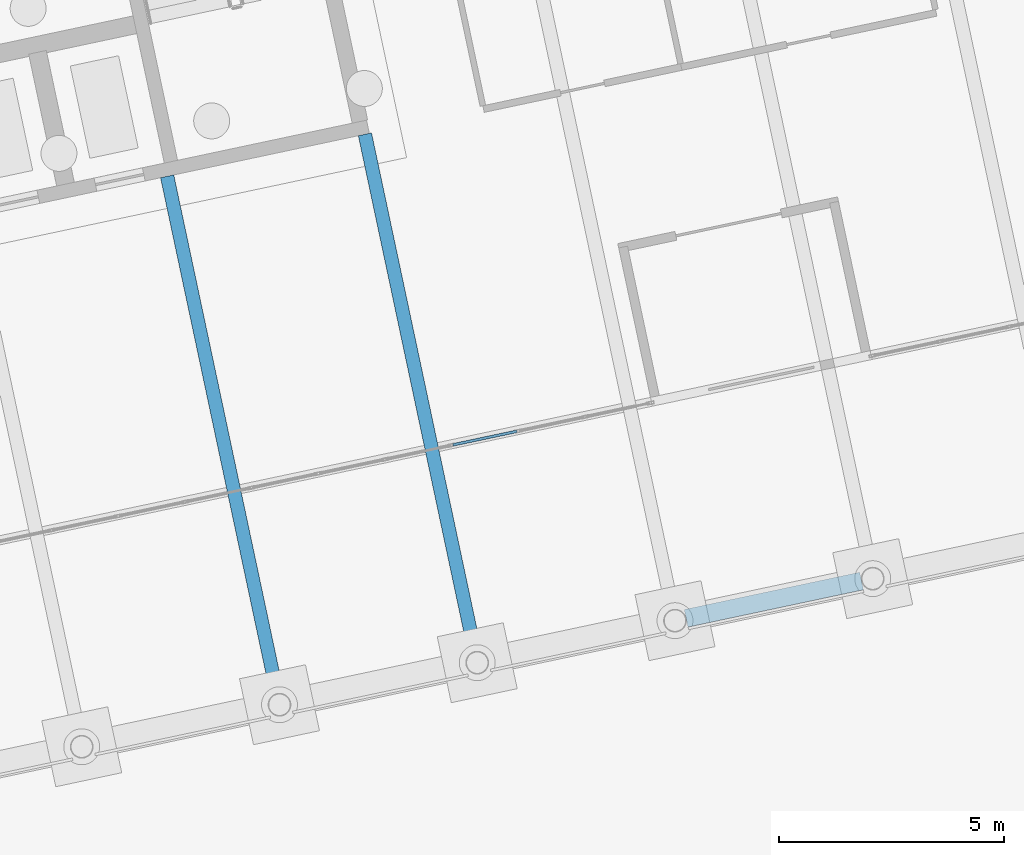
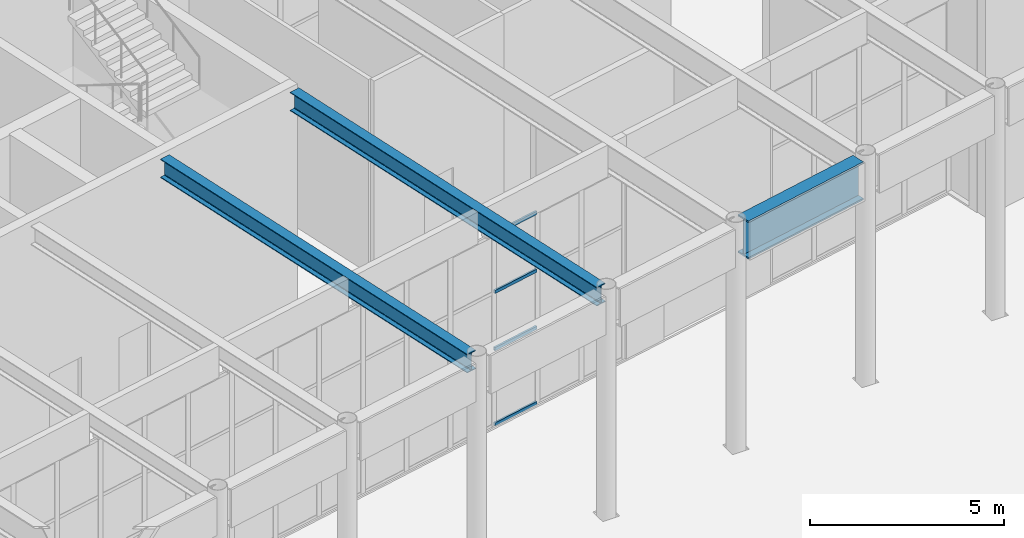
# One storey, part 95 of 239: 4 members, 3 beams, 1 element without a shape of its own.
"""IFC4 building model written with IfcOpenShell, lengths in metres."""

from ifc_helpers import new_model, si_unit, direction, frame, origin, origin_2d, place, context, subcontext, project, spatial, hollow_rectangle, i_section, extrude, material, material_profile, profile_set, type_object, element, aggregate, save


model = new_model("IFC4")

# Units and contexts
model_context = context("Model", 3, precision=1e-05, world=origin(), true_north=direction((0.0, 1.0)))
body_context = subcontext(model_context, "Body", "Model", "MODEL_VIEW")
ifc_project = project(units=[si_unit("LENGTHUNIT", "METRE"), si_unit("AREAUNIT", "SQUARE_METRE"), si_unit("VOLUMEUNIT", "CUBIC_METRE"), si_unit("PLANEANGLEUNIT", "RADIAN"), si_unit("MASSUNIT", "GRAM", prefix="KILO")], contexts=[model_context])

# Site, building, storey
site_placement = place(None, origin())
site = spatial("IfcSite", under=ifc_project, at=site_placement, CompositionType="ELEMENT")
building_placement = place(site_placement, origin())
building = spatial("IfcBuilding", under=site, at=building_placement, Name="Okhra Congress Centre", CompositionType="ELEMENT")
storey_placement = place(building_placement, origin())
storey = spatial("IfcBuildingStorey", under=building, at=storey_placement, Name="L00", CompositionType="ELEMENT", Elevation=0.0)

# Curtain wall, members
ifc_material_1 = material(Name="Aluminium curtain wall, triple glazing", Category="aluminium")
curtain_wall_type = type_object("IfcCurtainWallType", Name="Curtain wall 1500 module", PredefinedType="NOTDEFINED", material=ifc_material_1)
curtain_wall_placement = place(storey_placement, origin())
curtain_wall = element("IfcCurtainWall", 1, at=curtain_wall_placement, inside=storey, type_object=curtain_wall_type, Name="Ground curtain wall S4", PredefinedType="NOTDEFINED")
ifc_material_2 = material(Name="Aluminium alloy EN AW-6063 T66", Category="aluminium")
ifc_material_profile_1 = material_profile(ifc_material_2, hollow_rectangle(XDim=0.06005859375, YDim=0.10009765625, WallThickness=0.00390625, at=origin_2d()), Name="RHS 60x100x4")
ifc_profile_set_1 = profile_set([ifc_material_profile_1], Name="Aluminium alloy EN AW-6063 T66")
member_type = type_object("IfcMemberType", Name="Curtain wall transom 60x100", PredefinedType="USERDEFINED", material=ifc_profile_set_1)
member_1_placement = place(storey_placement, frame((183.716552734375, 57.8544921875, 0.030029296875), z_axis=(0.978144370647, 0.2079268866, 0.0), x_axis=(-0.2079268866, 0.978144370647, 0.0)))
member_1 = element("IfcMember", 2, at=member_1_placement, type_object=member_type, Name="CW7 transom 25.1", ObjectType="TRANSOM", PredefinedType="USERDEFINED", context=body_context, shape_type="SweptSolid", body=[
    extrude(hollow_rectangle(XDim=0.06005859375, YDim=0.10009765625, WallThickness=0.00390625, at=origin_2d()), origin(), (0.0, 0.0, 1.0), 1.45703125),
])
member_2_placement = place(storey_placement, frame((183.716552734375, 57.8544921875, 2.39990234375), z_axis=(0.978144370647, 0.2079268866, 0.0), x_axis=(-0.2079268866, 0.978144370647, 0.0)))
member_2 = element("IfcMember", 3, at=member_2_placement, type_object=member_type, Name="CW7 transom 25.2", ObjectType="TRANSOM", PredefinedType="USERDEFINED", context=body_context, shape_type="SweptSolid", body=[
    extrude(hollow_rectangle(XDim=0.06005859375, YDim=0.10009765625, WallThickness=0.00390625, at=origin_2d()), origin(), (0.0, 0.0, 1.0), 1.45703125),
])
member_3_placement = place(storey_placement, frame((183.716552734375, 57.8544921875, 4.199951171875), z_axis=(0.978144370647, 0.2079268866, 0.0), x_axis=(-0.2079268866, 0.978144370647, 0.0)))
member_3 = element("IfcMember", 4, at=member_3_placement, type_object=member_type, Name="CW7 transom 25.3", ObjectType="TRANSOM", PredefinedType="USERDEFINED", context=body_context, shape_type="SweptSolid", body=[
    extrude(hollow_rectangle(XDim=0.06005859375, YDim=0.10009765625, WallThickness=0.00390625, at=origin_2d()), origin(), (0.0, 0.0, 1.0), 1.45703125),
])
member_4_placement = place(storey_placement, frame((183.716552734375, 57.8544921875, 6.02001953125), z_axis=(0.978144370647, 0.2079268866, 0.0), x_axis=(-0.2079268866, 0.978144370647, 0.0)))
member_4 = element("IfcMember", 5, at=member_4_placement, type_object=member_type, Name="CW7 transom 25.4", ObjectType="TRANSOM", PredefinedType="USERDEFINED", context=body_context, shape_type="SweptSolid", body=[
    extrude(hollow_rectangle(XDim=0.06005859375, YDim=0.10009765625, WallThickness=0.00390625, at=origin_2d()), origin(), (0.0, 0.0, 1.0), 1.45703125),
])
aggregate(curtain_wall, [member_1, member_2, member_3, member_4])

# Beams
ifc_material_3 = material(Name="Steel S355J2", Category="steel")
ifc_material_profile_2 = material_profile(ifc_material_3, i_section(OverallWidth=0.300048828125, OverallDepth=0.590087890625, WebThickness=0.012939453125, FlangeThickness=0.02490234375, FilletRadius=0.027099609375, at=origin_2d()), Name="HE 600 A")
ifc_profile_set_2 = profile_set([ifc_material_profile_2], Name="Steel S355J2")
beam_type_1 = type_object("IfcBeamType", Name="Floor beam HE 600 A", PredefinedType="BEAM", material=ifc_profile_set_2)
beam_1_placement = place(storey_placement, frame((179.814453125, 52.26611328125, 6.7548828125), z_axis=(-0.207925671893, 0.97814462886, 0.0), x_axis=(-0.97814462886, -0.207925671893, 0.0)))
element("IfcBeam", 6, at=beam_1_placement, inside=storey, type_object=beam_type_1, Name="Floor beam 27.1", PredefinedType="BEAM", context=body_context, shape_type="SweptSolid", body=[
    extrude(i_section(OverallWidth=0.300048828125, OverallDepth=0.590087890625, WebThickness=0.012939453125, FlangeThickness=0.02490234375, FilletRadius=0.027099609375, at=origin_2d()), origin(), (0.0, 0.0, 1.0), 11.8251953125),
])
beam_2_placement = place(storey_placement, frame((184.216064453125, 53.20166015625, 6.7548828125), z_axis=(-0.207905918374, 0.978148827687, 0.0), x_axis=(-0.978148827687, -0.207905918374, 0.0)))
element("IfcBeam", 7, at=beam_2_placement, inside=storey, type_object=beam_type_1, Name="Floor beam 28.1", PredefinedType="BEAM", context=body_context, shape_type="SweptSolid", body=[
    extrude(i_section(OverallWidth=0.300048828125, OverallDepth=0.590087890625, WebThickness=0.012939453125, FlangeThickness=0.02490234375, FilletRadius=0.027099609375, at=origin_2d()), origin(), (0.0, 0.0, 1.0), 11.824951171875),
])
ifc_material_profile_3 = material_profile(ifc_material_3, i_section(OverallWidth=0.39990234375, OverallDepth=1.199951171875, WebThickness=0.02490234375, FlangeThickness=0.050048828125, at=origin_2d()), Name="Plate girder 1200x400")
ifc_profile_set_3 = profile_set([ifc_material_profile_3], Name="Steel S355J2")
beam_type_2 = type_object("IfcBeamType", Name="Perimeter plate girder 1200x400", PredefinedType="BEAM", material=ifc_profile_set_3)
beam_3_placement = place(storey_placement, frame((188.90771484375, 53.99462890625, 6.449951171875), z_axis=(0.978155431297, 0.207874847504, 0.0), x_axis=(-0.207874847504, 0.978155431297, 0.0)))
element("IfcBeam", 8, at=beam_3_placement, inside=storey, type_object=beam_type_2, Name="Perimeter girder S27", PredefinedType="BEAM", context=body_context, shape_type="SweptSolid", body=[
    extrude(i_section(OverallWidth=0.39990234375, OverallDepth=1.199951171875, WebThickness=0.02490234375, FlangeThickness=0.050048828125, at=origin_2d()), origin(), (0.0, 0.0, 1.0), 3.991943359375),
])

save(model, "model.ifc")
